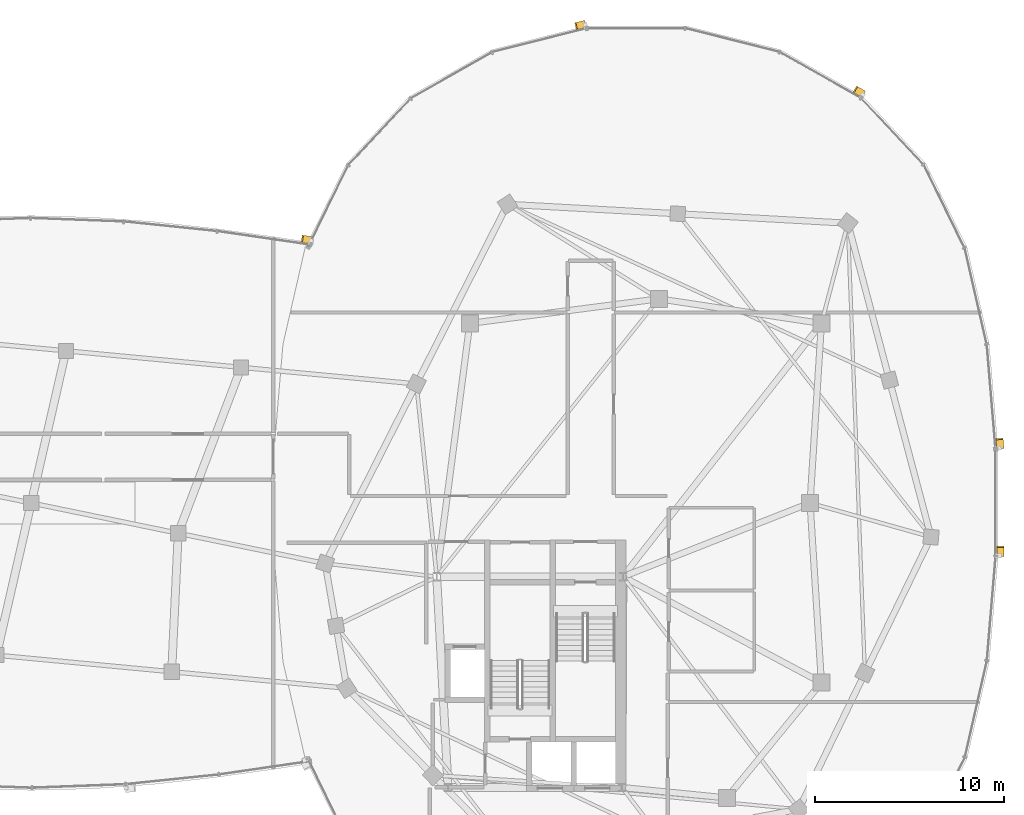
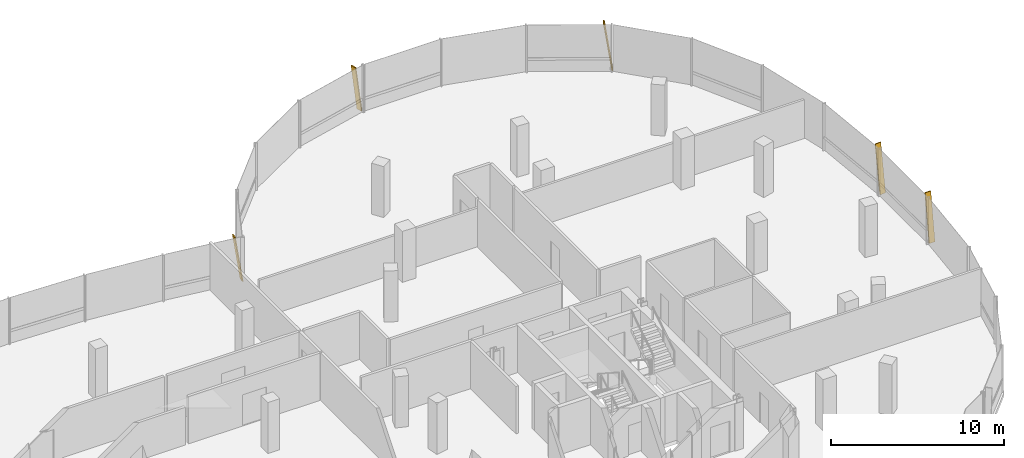
# One storey, part 25 of 25: 5 shading devices.
"""IFC4 building model written with IfcOpenShell, lengths in metres."""

from ifc_helpers import new_model, si_unit, direction, frame, origin, origin_2d, place, context, subcontext, project, spatial, rectangle, extrude, material, material_profile, profile_set, type_object, element, save


model = new_model("IFC4")

# Units and contexts
model_context = context("Model", 3, precision=1e-05, world=origin(), true_north=direction((0.0, 1.0)))
body_context = subcontext(model_context, "Body", "Model", "MODEL_VIEW")
ifc_project = project(units=[si_unit("LENGTHUNIT", "METRE"), si_unit("AREAUNIT", "SQUARE_METRE"), si_unit("VOLUMEUNIT", "CUBIC_METRE"), si_unit("PLANEANGLEUNIT", "RADIAN"), si_unit("MASSUNIT", "GRAM", prefix="KILO"), si_unit("THERMODYNAMICTEMPERATUREUNIT", "KELVIN"), si_unit("POWERUNIT", "WATT")], contexts=[model_context])

# Site, building, storey
site_placement = place(None, origin())
site = spatial("IfcSite", under=ifc_project, at=site_placement, CompositionType="ELEMENT")
building_placement = place(site_placement, origin())
building = spatial("IfcBuilding", under=site, at=building_placement, Name="Cundina Bronze Exchange", CompositionType="ELEMENT")
storey_placement = place(building_placement, frame((0.0, 0.0, 254.0)))
storey = spatial("IfcBuildingStorey", under=building, at=storey_placement, Name="L67", CompositionType="ELEMENT", Elevation=254.0)

# Shading devices
ifc_material = material(Name="Anodised Bronze Aluminium 6063-T6", Category="aluminium")
ifc_material_profile = material_profile(ifc_material, rectangle(XDim=0.070068359375, YDim=0.3798828125, at=origin_2d()), Name="FIN70X380", Category="aluminium")
ifc_profile_set = profile_set([ifc_material_profile], Name="Anodised Bronze Aluminium 6063-T6")
shading_device_type = type_object("IfcShadingDeviceType", Name="SHD-FIN-BRZ380", PredefinedType="USERDEFINED", material=ifc_profile_set)
for number, where, z_axis, x_axis, name in (
    (1, (51.26416015625, 2.90625, 0.02001953125), (-0.012006555776, 0.143419772964, 0.98958911238), (0.082555834947, -0.986139516224, 0.143921466983), "L67 Diagonal Bronze Solar Fin 1"),
    (2, (44.0126953125, 21.63720703125, 0.02001953125), (-0.125189514072, 0.071087145125, 0.989582843103), (0.860526986551, -0.488638423358, 0.143964567292), "L67 Diagonal Bronze Solar Fin 5"),
    (3, (29.290771484375, 25.343505859375, 0.02001953125), (-0.139611891367, -0.03514090606, 0.989582556693), (0.959650042543, 0.24154799183, 0.143966536007), "L67 Diagonal Bronze Solar Fin 1"),
    (4, (51.26904296875, -2.79150390625, 0.02001953125), (0.0, 0.143932024572, 0.989587576874), (0.0, -0.989587576874, 0.143932024572), "L67 Diagonal Bronze Solar Fin 5"),
):
    element("IfcShadingDevice", number, at=place(storey_placement, frame(where, z_axis=z_axis, x_axis=x_axis)), inside=storey, type_object=shading_device_type, Name=name, ObjectType="FIN", PredefinedType="USERDEFINED", context=body_context, shape_type="SweptSolid", body=[
        extrude(rectangle(XDim=0.070068359375, YDim=0.3798828125, at=origin_2d()), origin(), (0.0, 0.0, 1.0), 3.334716796875),
    ])
shading_device_placement = place(storey_placement, frame((14.8154296875, 13.90625, 0.02001953125), z_axis=(-0.145051508968, 0.021168873868, 0.989197623595), x_axis=(0.978828704224, -0.142850643371, 0.1465880673)))
element("IfcShadingDevice", 5, at=shading_device_placement, inside=storey, type_object=shading_device_type, Name="L67 Diagonal Bronze Solar Fin 1", ObjectType="FIN", PredefinedType="USERDEFINED", context=body_context, shape_type="SweptSolid", body=[
    extrude(rectangle(XDim=0.070068359375, YDim=0.3798828125, at=origin_2d()), origin(), (0.0, 0.0, 1.0), 3.275390625),
])

save(model, "model.ifc")
